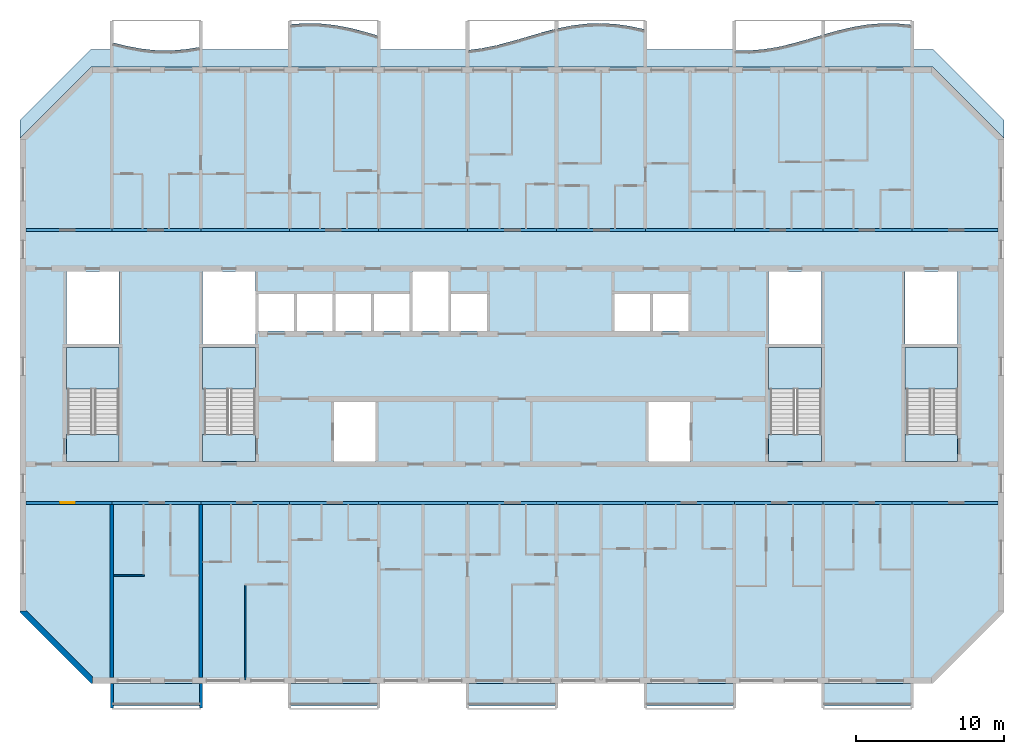
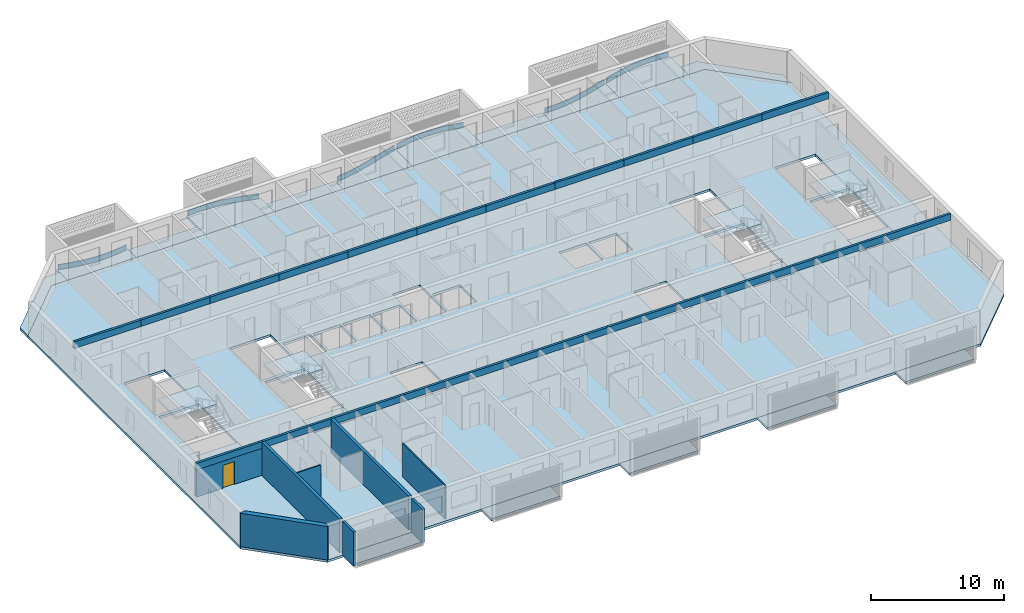
# One storey, part 1 of 26: 25 slabs, 22 beams, 8 walls, 6 plates, 1 door, 1 opening, 4 elements without a shape of their own.
"""IFC4 building model written with IfcOpenShell, lengths in metres."""

from ifc_helpers import new_model, si_unit, direction, frame, frame_2d, origin, origin_2d, place, context, subcontext, project, spatial, polyline, rectangle, outline, extrude, source, transform, mapped, material, layer, layer_set, material_profile, profile_set, type_object, element, fill, aggregate, save


model = new_model("IFC4")

# Units and contexts
model_context = context("Model", 3, precision=1e-05, world=origin(), true_north=direction((0.0, 1.0)))
body_context = subcontext(model_context, "Body", "Model", "MODEL_VIEW")
ifc_project = project(units=[si_unit("LENGTHUNIT", "METRE"), si_unit("AREAUNIT", "SQUARE_METRE"), si_unit("VOLUMEUNIT", "CUBIC_METRE"), si_unit("PLANEANGLEUNIT", "RADIAN"), si_unit("MASSUNIT", "GRAM", prefix="KILO")], contexts=[model_context])

# Site, building, storey
site_placement = place(None, origin())
site = spatial("IfcSite", under=ifc_project, at=site_placement, CompositionType="ELEMENT")
building_placement = place(site_placement, origin())
building = spatial("IfcBuilding", under=site, at=building_placement, Name="Poui Terraces", CompositionType="ELEMENT")
storey_placement = place(building_placement, frame((0.0, 0.0, 171.89990234375)))
storey = spatial("IfcBuildingStorey", under=building, at=storey_placement, Name="L47", CompositionType="ELEMENT", Elevation=171.89990234375)

# Beams
ifc_material_1 = material(Name="Concrete 50 MPa", Category="concrete")
ifc_material_profile = material_profile(ifc_material_1, rectangle(XDim=0.199951171875, YDim=0.60009765625, at=origin_2d()), Name="RC 200x600")
ifc_profile_set = profile_set([ifc_material_profile], Name="Concrete 50 MPa")
beam_type = type_object("IfcBeamType", Name="COUPLING BEAM 200x600 50MPa", PredefinedType="BEAM", material=ifc_profile_set)
shared_shape_1 = source(origin(), body_context, "Body", "SweptSolid", [
    extrude(rectangle(XDim=0.199951171875, YDim=0.60009765625, at=origin_2d()), origin(), (0.0, 0.0, 1.0), 5.800048828125),
])
for number, where, z_axis, x_axis, name in (
    (1, (18.199951171875, 12.0, 2.780029296875), (1.0, 0.0, 0.0), (0.0, 1.0, 0.0), "COUPLING BEAM LINE B BAY 1"),
    (2, (78.0, 12.0, 2.780029296875), (1.0, 0.0, 0.0), (0.0, 1.0, 0.0), "COUPLING BEAM LINE B BAY 11"),
    (3, (18.199951171875, 30.39990234375, 2.780029296875), (1.0, 0.0, 0.0), (0.0, 1.0, 0.0), "COUPLING BEAM LINE E BAY 1"),
    (4, (78.0, 30.39990234375, 2.780029296875), (1.0, 0.0, 0.0), (0.0, 1.0, 0.0), "COUPLING BEAM LINE E BAY 11"),
):
    element("IfcBeam", number, at=place(storey_placement, frame(where, z_axis=z_axis, x_axis=x_axis)), inside=storey, type_object=beam_type, Name=name, PredefinedType="BEAM", context=body_context, shape_type="MappedRepresentation", body=[
        mapped(shared_shape_1, transform((0.0, 0.0, 0.0))),
    ])
shared_shape_2 = source(origin(), body_context, "Body", "SweptSolid", [
    extrude(rectangle(XDim=0.199951171875, YDim=0.60009765625, at=origin_2d()), origin(), (0.0, 0.0, 1.0), 6.0),
])
for number, where, z_axis, x_axis, name in (
    (5, (24.0, 12.0, 2.780029296875), (1.0, 0.0, 0.0), (0.0, 1.0, 0.0), "COUPLING BEAM LINE B BAY 2"),
    (6, (30.0, 12.0, 2.780029296875), (1.0, 0.0, 0.0), (0.0, 1.0, 0.0), "COUPLING BEAM LINE B BAY 3"),
    (7, (36.0, 12.0, 2.780029296875), (1.0, 0.0, 0.0), (0.0, 1.0, 0.0), "COUPLING BEAM LINE B BAY 4"),
    (8, (42.0, 12.0, 2.780029296875), (1.0, 0.0, 0.0), (0.0, 1.0, 0.0), "COUPLING BEAM LINE B BAY 5"),
    (9, (48.0, 12.0, 2.780029296875), (1.0, 0.0, 0.0), (0.0, 1.0, 0.0), "COUPLING BEAM LINE B BAY 6"),
    (10, (54.0, 12.0, 2.780029296875), (1.0, 0.0, 0.0), (0.0, 1.0, 0.0), "COUPLING BEAM LINE B BAY 7"),
    (11, (60.0, 12.0, 2.780029296875), (1.0, 0.0, 0.0), (0.0, 1.0, 0.0), "COUPLING BEAM LINE B BAY 8"),
    (12, (66.0, 12.0, 2.780029296875), (1.0, 0.0, 0.0), (0.0, 1.0, 0.0), "COUPLING BEAM LINE B BAY 9"),
    (13, (72.0, 12.0, 2.780029296875), (1.0, 0.0, 0.0), (0.0, 1.0, 0.0), "COUPLING BEAM LINE B BAY 10"),
    (14, (24.0, 30.39990234375, 2.780029296875), (1.0, 0.0, 0.0), (0.0, 1.0, 0.0), "COUPLING BEAM LINE E BAY 2"),
    (15, (30.0, 30.39990234375, 2.780029296875), (1.0, 0.0, 0.0), (0.0, 1.0, 0.0), "COUPLING BEAM LINE E BAY 3"),
    (16, (36.0, 30.39990234375, 2.780029296875), (1.0, 0.0, 0.0), (0.0, 1.0, 0.0), "COUPLING BEAM LINE E BAY 4"),
    (17, (42.0, 30.39990234375, 2.780029296875), (1.0, 0.0, 0.0), (0.0, 1.0, 0.0), "COUPLING BEAM LINE E BAY 5"),
    (18, (48.0, 30.39990234375, 2.780029296875), (1.0, 0.0, 0.0), (0.0, 1.0, 0.0), "COUPLING BEAM LINE E BAY 6"),
    (19, (54.0, 30.39990234375, 2.780029296875), (1.0, 0.0, 0.0), (0.0, 1.0, 0.0), "COUPLING BEAM LINE E BAY 7"),
    (20, (60.0, 30.39990234375, 2.780029296875), (1.0, 0.0, 0.0), (0.0, 1.0, 0.0), "COUPLING BEAM LINE E BAY 8"),
    (21, (66.0, 30.39990234375, 2.780029296875), (1.0, 0.0, 0.0), (0.0, 1.0, 0.0), "COUPLING BEAM LINE E BAY 9"),
    (22, (72.0, 30.39990234375, 2.780029296875), (1.0, 0.0, 0.0), (0.0, 1.0, 0.0), "COUPLING BEAM LINE E BAY 10"),
):
    element("IfcBeam", number, at=place(storey_placement, frame(where, z_axis=z_axis, x_axis=x_axis)), inside=storey, type_object=beam_type, Name=name, PredefinedType="BEAM", context=body_context, shape_type="MappedRepresentation", body=[
        mapped(shared_shape_2, transform((0.0, 0.0, 0.0))),
    ])

# Slabs
ifc_material_2 = material(Name="Precast concrete 40 MPa", Category="concrete")
ifc_layer_1 = layer(ifc_material_2, 0.219970703125)
ifc_layer_set_1 = layer_set([ifc_layer_1], Name="Precast concrete 40 MPa")
slab_type_1 = type_object("IfcSlabType", Name="BALCONY SLAB 220", PredefinedType="FLOOR", material=ifc_layer_set_1)
slab_1_placement = place(storey_placement, frame((0.0, 0.0, -0.219970703125)))
element("IfcSlab", 23, at=slab_1_placement, inside=storey, type_object=slab_type_1, Name="BALCONY SLAB", PredefinedType="FLOOR", context=body_context, shape_type="SweptSolid", body=[
    extrude(outline(polyline([(24.0, 41.39990234375), (30.0, 41.39990234375), (30.0, 42.7578125), (29.0, 42.58935546875), (28.0, 42.506591796875), (27.0, 42.518798828125), (26.0, 42.623779296875), (25.0, 42.8115234375), (24.0, 43.0625), (24.0, 41.39990234375)])), origin(), (0.0, 0.0, 1.0), 0.219970703125),
])
slab_2_placement = place(storey_placement, frame((0.0, 0.0, -0.219970703125)))
element("IfcSlab", 24, at=slab_2_placement, inside=storey, type_object=slab_type_1, Name="BALCONY SLAB", PredefinedType="FLOOR", context=body_context, shape_type="SweptSolid", body=[
    extrude(outline(polyline([(36.0, 41.39990234375), (42.0, 41.39990234375), (42.0, 43.49951171875), (41.0, 43.78759765625), (40.0, 44.038330078125), (39.0, 44.22607421875), (38.0, 44.331298828125), (37.0, 44.34326171875), (36.0, 44.2607421875), (36.0, 41.39990234375)])), origin(), (0.0, 0.0, 1.0), 0.219970703125),
])
slab_3_placement = place(storey_placement, frame((0.0, 0.0, -0.219970703125)))
element("IfcSlab", 25, at=slab_3_placement, inside=storey, type_object=slab_type_1, Name="BALCONY SLAB", PredefinedType="FLOOR", context=body_context, shape_type="SweptSolid", body=[
    extrude(outline(polyline([(48.0, 41.39990234375), (54.0, 41.39990234375), (54.0, 43.980712890625), (53.0, 43.718017578125), (52.0, 43.425048828125), (51.0, 43.132080078125), (50.0, 42.869384765625), (49.0, 42.663818359375), (48.0, 42.53662109375), (48.0, 41.39990234375)])), origin(), (0.0, 0.0, 1.0), 0.219970703125),
])
slab_4_placement = place(storey_placement, frame((0.0, 0.0, -0.219970703125)))
element("IfcSlab", 26, at=slab_4_placement, inside=storey, type_object=slab_type_1, Name="BALCONY SLAB", PredefinedType="FLOOR", context=body_context, shape_type="SweptSolid", body=[
    extrude(outline(polyline([(54.0, 41.39990234375), (60.0, 41.39990234375), (60.0, 43.91943359375), (59.0, 44.1416015625), (58.0, 44.289794921875), (57.0, 44.34912109375), (56.0, 44.3134765625), (55.0, 44.186279296875), (54.0, 43.980712890625), (54.0, 41.39990234375)])), origin(), (0.0, 0.0, 1.0), 0.219970703125),
])
slab_5_placement = place(storey_placement, frame((0.0, 0.0, -0.219970703125)))
element("IfcSlab", 27, at=slab_5_placement, inside=storey, type_object=slab_type_1, Name="BALCONY SLAB", PredefinedType="FLOOR", context=body_context, shape_type="SweptSolid", body=[
    extrude(outline(polyline([(66.0, 41.39990234375), (72.0, 41.39990234375), (72.0, 43.573486328125), (71.0, 43.276611328125), (70.0, 42.9951171875), (69.0, 42.7578125), (68.0, 42.58935546875), (67.0, 42.506591796875), (66.0, 42.518798828125), (66.0, 41.39990234375)])), origin(), (0.0, 0.0, 1.0), 0.219970703125),
])
slab_6_placement = place(storey_placement, frame((0.0, 0.0, -0.219970703125)))
element("IfcSlab", 28, at=slab_6_placement, inside=storey, type_object=slab_type_1, Name="BALCONY SLAB", PredefinedType="FLOOR", context=body_context, shape_type="SweptSolid", body=[
    extrude(outline(polyline([(72.0, 41.39990234375), (78.0, 41.39990234375), (78.0, 44.22607421875), (77.0, 44.331298828125), (76.0, 44.34326171875), (75.0, 44.2607421875), (74.0, 44.092041015625), (73.0, 43.85498046875), (72.0, 43.573486328125), (72.0, 41.39990234375)])), origin(), (0.0, 0.0, 1.0), 0.219970703125),
])

# Stair, slabs
stair_type = type_object("IfcStairType", Name="EXIT STAIR 1650 50 MPA", PredefinedType="HALF_TURN_STAIR", material=ifc_material_1)
stair_1_placement = place(storey_placement, origin())
stair_1 = element("IfcStair", 29, at=stair_1_placement, inside=storey, type_object=stair_type, Name="L47 CORE STAIR EAST", PredefinedType="HALF_TURN_STAIR")
ifc_layer_2 = layer(ifc_material_1, 0.199951171875)
ifc_layer_set_2 = layer_set([ifc_layer_2], Name="Concrete 50 MPa")
slab_type_2 = type_object("IfcSlabType", Name="STAIR LANDING 200 50 MPA", PredefinedType="LANDING", material=ifc_layer_set_2)
slab_7_placement = place(storey_placement, frame((0.0, 0.0, 1.449951171875)))
slab_7 = element("IfcSlab", 30, at=slab_7_placement, type_object=slab_type_2, Name="ST-CE landing 1", PredefinedType="LANDING", context=body_context, shape_type="SweptSolid", body=[
    extrude(outline(polyline([(68.324951171875, 19.679931640625), (71.875, 19.679931640625), (71.875, 22.47509765625), (68.324951171875, 22.47509765625), (68.324951171875, 19.679931640625)])), origin(), (0.0, 0.0, 1.0), 0.2001953125),
])
slab_8_placement = place(storey_placement, frame((0.0, 0.0, -0.199951171875)))
slab_8 = element("IfcSlab", 31, at=slab_8_placement, type_object=slab_type_2, Name="ST-CE landing 2", PredefinedType="LANDING", context=body_context, shape_type="SweptSolid", body=[
    extrude(outline(polyline([(68.324951171875, 14.800048828125), (71.875, 14.800048828125), (71.875, 16.60009765625), (68.324951171875, 16.60009765625), (68.324951171875, 14.800048828125)])), origin(), (0.0, 0.0, 1.0), 0.199951171875),
])
aggregate(stair_1, [slab_7, slab_8])

stair_2_placement = place(storey_placement, origin())
stair_2 = element("IfcStair", 32, at=stair_2_placement, inside=storey, type_object=stair_type, Name="L47 CORE STAIR WEST", PredefinedType="HALF_TURN_STAIR")
slab_9_placement = place(storey_placement, frame((0.0, 0.0, 1.449951171875)))
slab_9 = element("IfcSlab", 33, at=slab_9_placement, type_object=slab_type_2, Name="ST-CW landing 1", PredefinedType="LANDING", context=body_context, shape_type="SweptSolid", body=[
    extrude(outline(polyline([(30.125, 19.679931640625), (33.675048828125, 19.679931640625), (33.675048828125, 22.47509765625), (30.125, 22.47509765625), (30.125, 19.679931640625)])), origin(), (0.0, 0.0, 1.0), 0.2001953125),
])
slab_10_placement = place(storey_placement, frame((0.0, 0.0, -0.199951171875)))
slab_10 = element("IfcSlab", 34, at=slab_10_placement, type_object=slab_type_2, Name="ST-CW landing 2", PredefinedType="LANDING", context=body_context, shape_type="SweptSolid", body=[
    extrude(outline(polyline([(30.125, 14.800048828125), (33.675048828125, 14.800048828125), (33.675048828125, 16.60009765625), (30.125, 16.60009765625), (30.125, 14.800048828125)])), origin(), (0.0, 0.0, 1.0), 0.199951171875),
])
aggregate(stair_2, [slab_9, slab_10])

stair_3_placement = place(storey_placement, origin())
stair_3 = element("IfcStair", 35, at=stair_3_placement, inside=storey, type_object=stair_type, Name="L47 TIP STAIR EAST", PredefinedType="HALF_TURN_STAIR")
slab_11_placement = place(storey_placement, frame((0.0, 0.0, 1.449951171875)))
slab_11 = element("IfcSlab", 36, at=slab_11_placement, type_object=slab_type_2, Name="ST-E landing 1", PredefinedType="LANDING", context=body_context, shape_type="SweptSolid", body=[
    extrude(outline(polyline([(77.52490234375, 19.679931640625), (81.074951171875, 19.679931640625), (81.074951171875, 22.47509765625), (77.52490234375, 22.47509765625), (77.52490234375, 19.679931640625)])), origin(), (0.0, 0.0, 1.0), 0.2001953125),
])
slab_12_placement = place(storey_placement, frame((0.0, 0.0, -0.199951171875)))
slab_12 = element("IfcSlab", 37, at=slab_12_placement, type_object=slab_type_2, Name="ST-E landing 2", PredefinedType="LANDING", context=body_context, shape_type="SweptSolid", body=[
    extrude(outline(polyline([(77.52490234375, 14.800048828125), (81.074951171875, 14.800048828125), (81.074951171875, 16.60009765625), (77.52490234375, 16.60009765625), (77.52490234375, 14.800048828125)])), origin(), (0.0, 0.0, 1.0), 0.199951171875),
])
aggregate(stair_3, [slab_11, slab_12])

stair_4_placement = place(storey_placement, origin())
stair_4 = element("IfcStair", 38, at=stair_4_placement, inside=storey, type_object=stair_type, Name="L47 TIP STAIR WEST", PredefinedType="HALF_TURN_STAIR")
slab_13_placement = place(storey_placement, frame((0.0, 0.0, 1.449951171875)))
slab_13 = element("IfcSlab", 39, at=slab_13_placement, type_object=slab_type_2, Name="ST-W landing 1", PredefinedType="LANDING", context=body_context, shape_type="SweptSolid", body=[
    extrude(outline(polyline([(20.925048828125, 19.679931640625), (24.47509765625, 19.679931640625), (24.47509765625, 22.47509765625), (20.925048828125, 22.47509765625), (20.925048828125, 19.679931640625)])), origin(), (0.0, 0.0, 1.0), 0.2001953125),
])
slab_14_placement = place(storey_placement, frame((0.0, 0.0, -0.199951171875)))
slab_14 = element("IfcSlab", 40, at=slab_14_placement, type_object=slab_type_2, Name="ST-W landing 2", PredefinedType="LANDING", context=body_context, shape_type="SweptSolid", body=[
    extrude(outline(polyline([(20.925048828125, 14.800048828125), (24.47509765625, 14.800048828125), (24.47509765625, 16.60009765625), (20.925048828125, 16.60009765625), (20.925048828125, 14.800048828125)])), origin(), (0.0, 0.0, 1.0), 0.199951171875),
])
aggregate(stair_4, [slab_13, slab_14])

# Plates
ifc_layer_3 = layer(ifc_material_2, 0.080078125)
ifc_layer_set_3 = layer_set([ifc_layer_3], Name="Precast concrete 40 MPa")
plate_type = type_object("IfcPlateType", Name="SUNSHADE UPSTAND 80", PredefinedType="SHEET", material=ifc_layer_set_3)
plate_1_placement = place(storey_placement, origin())
element("IfcPlate", 41, at=plate_1_placement, inside=storey, type_object=plate_type, Name="SUNSHADE UPSTAND", PredefinedType="SHEET", context=body_context, shape_type="SweptSolid", body=[
    extrude(outline(polyline([(25.008544921875, 42.8056640625), (24.134521484375, 43.022216796875), (24.115478515625, 42.944580078125), (24.991455078125, 42.7275390625), (25.994140625, 42.539306640625), (26.997802734375, 42.43359375), (28.00146484375, 42.421630859375), (29.0048828125, 42.504638671875), (29.881591796875, 42.648193359375), (29.868408203125, 42.72705078125), (28.9951171875, 42.583984375), (27.99853515625, 42.501708984375), (27.002197265625, 42.513671875), (26.005859375, 42.618408203125), (25.008544921875, 42.8056640625)])), origin(), (0.0, 0.0, 1.0), 0.4501953125),
])
plate_2_placement = place(storey_placement, origin())
element("IfcPlate", 42, at=plate_2_placement, inside=storey, type_object=plate_type, Name="SUNSHADE UPSTAND", PredefinedType="SHEET", context=body_context, shape_type="SweptSolid", body=[
    extrude(outline(polyline([(36.998779296875, 44.33837890625), (36.140380859375, 44.272216796875), (36.121826171875, 44.270751953125), (36.128173828125, 44.191162109375), (37.001220703125, 44.25830078125), (37.997802734375, 44.246337890625), (38.994140625, 44.1416015625), (39.991455078125, 43.954345703125), (40.989501953125, 43.703857421875), (41.864013671875, 43.452880859375), (41.885986328125, 43.52978515625), (41.010498046875, 43.78125), (40.008544921875, 44.032470703125), (39.005859375, 44.220703125), (38.002197265625, 44.326416015625), (36.998779296875, 44.33837890625)])), origin(), (0.0, 0.0, 1.0), 0.4501953125),
])
plate_3_placement = place(storey_placement, origin())
element("IfcPlate", 43, at=plate_3_placement, inside=storey, type_object=plate_type, Name="SUNSHADE UPSTAND", PredefinedType="SHEET", context=body_context, shape_type="SweptSolid", body=[
    extrude(outline(polyline([(48.993408203125, 42.658203125), (48.11962890625, 42.542236328125), (48.13037109375, 42.462890625), (49.006591796875, 42.579345703125), (50.009033203125, 42.785400390625), (51.0107421875, 43.048583984375), (53.0107421875, 43.634521484375), (53.88525390625, 43.86669921875), (53.86474609375, 43.944091796875), (52.9892578125, 43.71142578125), (50.9892578125, 43.12548828125), (49.990966796875, 42.86328125), (48.993408203125, 42.658203125)])), origin(), (0.0, 0.0, 1.0), 0.4501953125),
])
plate_4_placement = place(storey_placement, origin())
element("IfcPlate", 44, at=plate_4_placement, inside=storey, type_object=plate_type, Name="SUNSHADE UPSTAND", PredefinedType="SHEET", context=body_context, shape_type="SweptSolid", body=[
    extrude(outline(polyline([(54.993408203125, 44.180908203125), (54.1171875, 44.004150390625), (54.1328125, 43.92578125), (55.006591796875, 44.101806640625), (56.003173828125, 44.228515625), (56.99951171875, 44.26416015625), (57.995849609375, 44.205078125), (58.992919921875, 44.05712890625), (59.866455078125, 43.866455078125), (59.883544921875, 43.944580078125), (59.007080078125, 44.135986328125), (58.004150390625, 44.28466796875), (57.00048828125, 44.34423828125), (55.996826171875, 44.308349609375), (54.993408203125, 44.180908203125)])), origin(), (0.0, 0.0, 1.0), 0.4501953125),
])
plate_5_placement = place(storey_placement, origin())
element("IfcPlate", 45, at=plate_5_placement, inside=storey, type_object=plate_type, Name="SUNSHADE UPSTAND", PredefinedType="SHEET", context=body_context, shape_type="SweptSolid", body=[
    extrude(outline(polyline([(66.99853515625, 42.501708984375), (66.125244140625, 42.507080078125), (66.124755859375, 42.427001953125), (67.00146484375, 42.421630859375), (68.0048828125, 42.504638671875), (69.008056640625, 42.673583984375), (70.010009765625, 42.911376953125), (71.010986328125, 43.193115234375), (71.886474609375, 43.453125), (71.863525390625, 43.52978515625), (70.989013671875, 43.27001953125), (69.989990234375, 42.989013671875), (68.991943359375, 42.752197265625), (67.9951171875, 42.583984375), (66.99853515625, 42.501708984375)])), origin(), (0.0, 0.0, 1.0), 0.4501953125),
])
plate_6_placement = place(storey_placement, origin())
element("IfcPlate", 46, at=plate_6_placement, inside=storey, type_object=plate_type, Name="SUNSHADE UPSTAND", PredefinedType="SHEET", context=body_context, shape_type="SweptSolid", body=[
    extrude(outline(polyline([(72.989990234375, 43.8486328125), (72.1142578125, 43.603515625), (72.1357421875, 43.526611328125), (73.010009765625, 43.77099609375), (74.008056640625, 44.0078125), (75.0048828125, 44.176025390625), (76.00146484375, 44.25830078125), (76.997802734375, 44.246337890625), (77.87109375, 44.1591796875), (77.87890625, 44.23876953125), (77.871826171875, 44.239501953125), (77.002197265625, 44.326416015625), (75.99853515625, 44.33837890625), (74.9951171875, 44.25537109375), (73.991943359375, 44.086181640625), (72.989990234375, 43.8486328125)])), origin(), (0.0, 0.0, 1.0), 0.4501953125),
])

# Slabs
ifc_material_3 = material(Name="Concrete 40 MPa", Category="concrete")
ifc_layer_4 = layer(ifc_material_3, 0.219970703125)
ifc_layer_set_4 = layer_set([ifc_layer_4], Name="Concrete 40 MPa")
slab_type_3 = type_object("IfcSlabType", Name="FLOOR SLAB 220", PredefinedType="FLOOR", material=ifc_layer_set_4)
shared_shape_3 = source(origin(), body_context, "Body", "SweptSolid", [
    extrude(outline(polyline([(0.0, 0.0), (4.800048828125, -4.800048828125), (61.599853515625, -4.800048828125), (66.39990234375, 0.0), (66.39990234375, 32.0), (61.599853515625, 36.7998046875), (4.800048828125, 36.7998046875), (0.0, 32.0), (0.0, 0.0)]), holes=[polyline([(21.199951171875, 10.199951171875), (21.199951171875, 14.199951171875), (24.0, 14.199951171875), (24.0, 10.199951171875), (21.199951171875, 10.199951171875)]), polyline([(3.224853515625, 17.849853515625), (6.675048828125, 17.849853515625), (6.675048828125, 12.0), (6.675048828125, 10.199951171875), (3.125, 10.199951171875), (3.125, 12.0), (3.224853515625, 12.0), (3.224853515625, 17.849853515625)]), polyline([(12.425048828125, 17.849853515625), (15.875, 17.849853515625), (15.875, 12.0), (15.875, 10.199951171875), (12.324951171875, 10.199951171875), (12.324951171875, 12.0), (12.425048828125, 12.0), (12.425048828125, 17.849853515625)]), polyline([(16.099853515625, 19.0), (16.099853515625, 21.5), (18.5, 21.5), (18.5, 19.0), (16.099853515625, 19.0)]), polyline([(18.699951171875, 19.0), (18.699951171875, 21.5), (21.099853515625, 21.5), (21.099853515625, 19.0), (18.699951171875, 19.0)]), polyline([(21.300048828125, 19.0), (21.300048828125, 21.5), (23.699951171875, 21.5), (23.699951171875, 19.0), (21.300048828125, 19.0)]), polyline([(23.89990234375, 19.0), (23.89990234375, 21.5), (26.300048828125, 21.5), (26.300048828125, 19.0), (23.89990234375, 19.0)]), polyline([(3.125, 23.0), (6.675048828125, 23.0), (6.675048828125, 18.125), (3.125, 18.125), (3.125, 23.0)]), polyline([(12.324951171875, 23.0), (15.875, 23.0), (15.875, 18.125), (12.324951171875, 18.125), (12.324951171875, 23.0)]), polyline([(42.39990234375, 10.199951171875), (42.39990234375, 14.199951171875), (45.199951171875, 14.199951171875), (45.199951171875, 10.199951171875), (42.39990234375, 10.199951171875)]), polyline([(50.625, 17.849853515625), (54.074951171875, 17.849853515625), (54.074951171875, 12.0), (54.074951171875, 10.199951171875), (50.52490234375, 10.199951171875), (50.52490234375, 12.0), (50.625, 12.0), (50.625, 17.849853515625)]), polyline([(59.824951171875, 17.849853515625), (63.27490234375, 17.849853515625), (63.27490234375, 12.0), (63.27490234375, 10.199951171875), (59.724853515625, 10.199951171875), (59.724853515625, 12.0), (59.824951171875, 12.0), (59.824951171875, 17.849853515625)]), polyline([(29.099853515625, 19.0), (29.099853515625, 21.5), (31.5, 21.5), (31.5, 19.0), (29.099853515625, 19.0)]), polyline([(40.099853515625, 19.0), (40.099853515625, 21.5), (42.5, 21.5), (42.5, 19.0), (40.099853515625, 19.0)]), polyline([(42.699951171875, 19.0), (42.699951171875, 21.5), (45.099853515625, 21.5), (45.099853515625, 19.0), (42.699951171875, 19.0)]), polyline([(50.52490234375, 18.125), (50.52490234375, 23.0), (54.074951171875, 23.0), (54.074951171875, 18.125), (50.52490234375, 18.125)]), polyline([(59.724853515625, 23.0), (63.27490234375, 23.0), (63.27490234375, 18.125), (59.724853515625, 18.125), (59.724853515625, 23.0)]), polyline([(26.5, 23.0), (28.89990234375, 23.0), (28.89990234375, 19.0), (26.5, 19.0), (26.5, 23.0)])]), origin(), (0.0, 0.0, 1.0), 0.219970703125),
])
slab_15_placement = place(storey_placement, frame((17.800048828125, 4.60009765625, -0.219970703125)))
element("IfcSlab", 47, at=slab_15_placement, inside=storey, type_object=slab_type_3, Name="FLOOR SLAB", PredefinedType="FLOOR", context=body_context, shape_type="MappedRepresentation", body=[
    mapped(shared_shape_3, transform((0.0, 0.0, 0.0))),
])
ifc_layer_5 = layer(ifc_material_3, 0.219970703125)
ifc_layer_set_5 = layer_set([ifc_layer_5], Name="Concrete 40 MPa")
slab_type_4 = type_object("IfcSlabType", Name="SKY GARDEN FLOOR SLAB 220", PredefinedType="FLOOR", material=ifc_layer_set_5)
shared_shape_4 = source(origin(), body_context, "Body", "SweptSolid", [
    extrude(outline(polyline([(0.0, 0.0), (0.0, 1.2001953125), (-1.39990234375, 1.2001953125), (-6.199951171875, -3.599853515625), (-6.199951171875, -4.7998046875), (-1.39990234375, 0.0), (0.0, 0.0)])), origin(), (0.0, 0.0, 1.0), 0.219970703125),
])
slab_16_placement = place(storey_placement, frame((24.0, 41.39990234375, -0.219970703125)))
element("IfcSlab", 48, at=slab_16_placement, inside=storey, type_object=slab_type_4, Name="SKY GARDEN ROOF SLAB", PredefinedType="FLOOR", context=body_context, shape_type="MappedRepresentation", body=[
    mapped(shared_shape_4, transform((0.0, 0.0, 0.0))),
])
ifc_layer_6 = layer(ifc_material_2, 0.199951171875)
ifc_layer_set_6 = layer_set([ifc_layer_6], Name="Precast concrete 40 MPa")
slab_type_5 = type_object("IfcSlabType", Name="REAR BALCONY SLAB 200", PredefinedType="FLOOR", material=ifc_layer_set_6)
shared_shape_5 = source(origin(), body_context, "Body", "SweptSolid", [
    extrude(outline(polyline([(0.0, 0.0), (6.0, 0.0), (6.0, 1.5), (0.0, 1.5), (0.0, 0.0)])), origin(), (0.0, 0.0, 1.0), 0.199951171875),
])
for number, where, name in (
    (49, (24.0, -1.699951171875, -0.199951171875), "REAR BALCONY SLAB"),
    (50, (36.0, -1.699951171875, -0.199951171875), "REAR BALCONY SLAB"),
    (51, (48.0, -1.699951171875, -0.199951171875), "REAR BALCONY SLAB"),
    (52, (60.0, -1.699951171875, -0.199951171875), "REAR BALCONY SLAB"),
    (53, (72.0, -1.699951171875, -0.199951171875), "REAR BALCONY SLAB"),
):
    element("IfcSlab", number, at=place(storey_placement, frame(where)), inside=storey, type_object=slab_type_5, Name=name, PredefinedType="FLOOR", context=body_context, shape_type="MappedRepresentation", body=[
        mapped(shared_shape_5, transform((0.0, 0.0, 0.0))),
    ])
shared_shape_6 = source(origin(), body_context, "Body", "SweptSolid", [
    extrude(outline(polyline([(0.0, 0.0), (0.0, 1.2001953125), (-6.0, 1.2001953125), (-6.0, 0.0), (0.0, 0.0)])), origin(), (0.0, 0.0, 1.0), 0.219970703125),
])
for number, where, name in (
    (54, (36.0, 41.39990234375, -0.219970703125), "SKY GARDEN ROOF SLAB"),
    (55, (48.0, 41.39990234375, -0.219970703125), "SKY GARDEN ROOF SLAB"),
    (56, (66.0, 41.39990234375, -0.219970703125), "SKY GARDEN ROOF SLAB"),
):
    element("IfcSlab", number, at=place(storey_placement, frame(where)), inside=storey, type_object=slab_type_4, Name=name, PredefinedType="FLOOR", context=body_context, shape_type="MappedRepresentation", body=[
        mapped(shared_shape_6, transform((0.0, 0.0, 0.0))),
    ])
shared_shape_7 = source(origin(), body_context, "Body", "SweptSolid", [
    extrude(outline(polyline([(0.0, 0.0), (0.0, -1.2001953125), (1.39990234375, -1.2001953125), (6.199951171875, -6.0), (6.199951171875, -4.800048828125), (1.39990234375, 0.0), (0.0, 0.0)])), origin(), (0.0, 0.0, 1.0), 0.219970703125),
])
slab_17_placement = place(storey_placement, frame((78.0, 42.60009765625, -0.219970703125)))
element("IfcSlab", 57, at=slab_17_placement, inside=storey, type_object=slab_type_4, Name="SKY GARDEN ROOF SLAB", PredefinedType="FLOOR", context=body_context, shape_type="MappedRepresentation", body=[
    mapped(shared_shape_7, transform((0.0, 0.0, 0.0))),
])

# Wall, opening, door
ifc_layer_7 = layer(ifc_material_1, 0.199951171875)
ifc_layer_set_7 = layer_set([ifc_layer_7], Name="Concrete 50 MPa")
wall_type_1 = type_object("IfcWallType", Name="CORRIDOR WALL 200 50MPa", PredefinedType="SHEAR", material=ifc_layer_set_7)
wall_1_placement = place(storey_placement, frame((18.199951171875, 12.0, 0.0), z_axis=(0.0, 0.0, 1.0), x_axis=(1.0, 0.0, 0.0)))
wall_1 = element("IfcWall", 58, at=wall_1_placement, inside=storey, type_object=wall_type_1, Name="CORRIDOR WALL LINE B BAY 1", PredefinedType="SHEAR", context=body_context, shape_type="SweptSolid", body=[
    extrude(rectangle(XDim=5.800048828125, YDim=0.199951171875, at=frame_2d((2.89990234375, 0.0))), origin(), (0.0, 0.0, 1.0), 2.47998046875),
])
opening_placement = place(wall_1_placement, frame((2.300048828125, 0.0, 0.0)))
opening = element("IfcOpeningElement", 59, at=opening_placement, cuts=wall_1, Name="Opening D100", PredefinedType="OPENING", context=body_context, shape_type="SweptSolid", body=[
    extrude(rectangle(XDim=1.0, YDim=2.10009765625, at=frame_2d((0.5, 1.050048828125))), frame((0.0, 0.10986328125, 0.0), z_axis=(0.0, -1.0, 0.0), x_axis=(1.0, 0.0, 0.0)), (0.0, 0.0, 1.0), 0.219970703125),
])
ifc_material_4 = material(Name="Solid core timber door", Category="wood")
door_type = type_object("IfcDoorType", Name="ACCESSIBLE INTERNAL DOOR 1000 X 2100", OperationType="NOTDEFINED", PredefinedType="DOOR", material=ifc_material_4)
door_placement = place(opening_placement, frame((1.0, 0.0, 0.0), z_axis=(0.0, 0.0, 1.0), x_axis=(-1.0, 0.0, 0.0)))
door = element("IfcDoor", 60, at=door_placement, inside=storey, type_object=door_type, Name="ACCESSIBLE INTERNAL DOOR 062", OperationType="SINGLE_SWING_RIGHT", OverallHeight=2.10009765625, OverallWidth=1.0, PredefinedType="DOOR", context=body_context, shape_type="SweptSolid", body=[
    extrude(rectangle(XDim=1.0, YDim=2.10009765625, at=frame_2d((0.5, 1.050048828125))), frame((0.0, 0.02490234375, 0.0), z_axis=(0.0, -1.0, 0.0), x_axis=(1.0, 0.0, 0.0)), (0.0, 0.0, 1.0), 0.050048828125),
])
fill(opening, door)

# Walls
ifc_layer_8 = layer(ifc_material_1, 0.25)
ifc_layer_set_8 = layer_set([ifc_layer_8], Name="Concrete 50 MPa")
wall_type_2 = type_object("IfcWallType", Name="CROSS WALL 250 50MPa", PredefinedType="SHEAR", material=ifc_layer_set_8)
for number, where, z_axis, x_axis, name in (
    (61, (24.0, 0.199951171875, 0.0), (0.0, 0.0, 1.0), (0.0, 1.0, 0.0), "CROSS WALL LINE 5 SOUTH"),
    (62, (30.0, 0.199951171875, 0.0), (0.0, 0.0, 1.0), (0.0, 1.0, 0.0), "CROSS WALL LINE 6 SOUTH"),
):
    element("IfcWall", number, at=place(storey_placement, frame(where, z_axis=z_axis, x_axis=x_axis)), inside=storey, type_object=wall_type_2, Name=name, PredefinedType="SHEAR", context=body_context, shape_type="SweptSolid", body=[
        extrude(rectangle(XDim=11.699951171875, YDim=0.25, at=frame_2d((5.85009765625, 0.0))), origin(), (0.0, 0.0, 1.0), 3.080078125),
    ])
ifc_material_5 = material(Name="Plasterboard partition")
ifc_layer_9 = layer(ifc_material_5, 0.10009765625)
ifc_layer_set_9 = layer_set([ifc_layer_9], Name="Plasterboard partition")
wall_type_3 = type_object("IfcWallType", Name="FLAT PARTITION 100", PredefinedType="PARTITIONING", material=ifc_layer_set_9)
wall_2_placement = place(storey_placement, frame((24.135009765625, 7.10009765625, 0.0), z_axis=(0.0, 0.0, 1.0), x_axis=(1.0, 0.0, 0.0)))
element("IfcWall", 63, at=wall_2_placement, inside=storey, type_object=wall_type_3, Name="FLAT PARTITION 100", PredefinedType="PARTITIONING", context=body_context, shape_type="SweptSolid", body=[
    extrude(rectangle(XDim=2.06494140625, YDim=0.10009765625, at=frame_2d((1.032470703125, 0.0))), origin(), (0.0, 0.0, 1.0), 3.080078125),
])
wall_3_placement = place(storey_placement, frame((33.0, 0.06005859375, 0.0), z_axis=(0.0, 0.0, 1.0), x_axis=(0.0, 1.0, 0.0)))
element("IfcWall", 64, at=wall_3_placement, inside=storey, type_object=wall_type_3, Name="FLAT PARTITION 100", PredefinedType="PARTITIONING", context=body_context, shape_type="SweptSolid", body=[
    extrude(rectangle(XDim=6.389892578125, YDim=0.10009765625, at=frame_2d((3.19482421875, 0.0))), origin(), (0.0, 0.0, 1.0), 3.080078125),
])
ifc_layer_10 = layer(ifc_material_2, 0.39990234375)
ifc_layer_set_10 = layer_set([ifc_layer_10], Name="Precast concrete 40 MPa")
wall_type_4 = type_object("IfcWallType", Name="TERRACOTTA CLAD CHAMFER WALL 400", PredefinedType="STANDARD", material=ifc_layer_set_10)
wall_4_placement = place(storey_placement, origin())
element("IfcWall", 65, at=wall_4_placement, inside=storey, type_object=wall_type_4, Name="CHAMFER WALL CH07", PredefinedType="STANDARD", context=body_context, shape_type="SweptSolid", body=[
    extrude(outline(polyline([(17.800048828125, 4.682861328125), (17.800048828125, 4.60009765625), (22.60009765625, -0.199951171875), (22.682861328125, -0.199951171875), (22.682861328125, 0.28271484375), (18.28271484375, 4.682861328125), (17.800048828125, 4.682861328125)])), origin(), (0.0, 0.0, 1.0), 3.080078125),
])
ifc_layer_11 = layer(ifc_material_2, 0.199951171875)
ifc_layer_set_11 = layer_set([ifc_layer_11], Name="Precast concrete 40 MPa")
wall_type_5 = type_object("IfcWallType", Name="REAR FIN 200", PredefinedType="STANDARD", material=ifc_layer_set_11)
shared_shape_8 = source(origin(), body_context, "Body", "SweptSolid", [
    extrude(outline(polyline([(0.0, 0.0), (0.2001953125, 0.0), (0.2001953125, 1.650146484375), (0.0, 1.650146484375), (0.0, 0.0)])), origin(), (0.0, 0.0, 1.0), 3.10009765625),
])
for number, where, name in (
    (66, (23.89990234375, -1.85009765625, 0.0), "REAR FIN"),
    (67, (29.89990234375, -1.85009765625, 0.0), "REAR FIN"),
):
    element("IfcWall", number, at=place(storey_placement, frame(where)), inside=storey, type_object=wall_type_5, Name=name, PredefinedType="STANDARD", context=body_context, shape_type="MappedRepresentation", body=[
        mapped(shared_shape_8, transform((0.0, 0.0, 0.0))),
    ])

save(model, "model.ifc")
